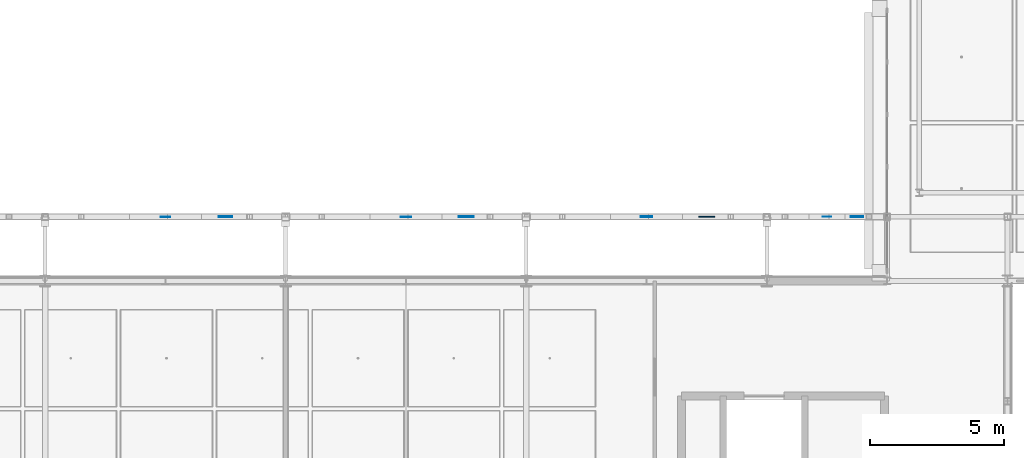
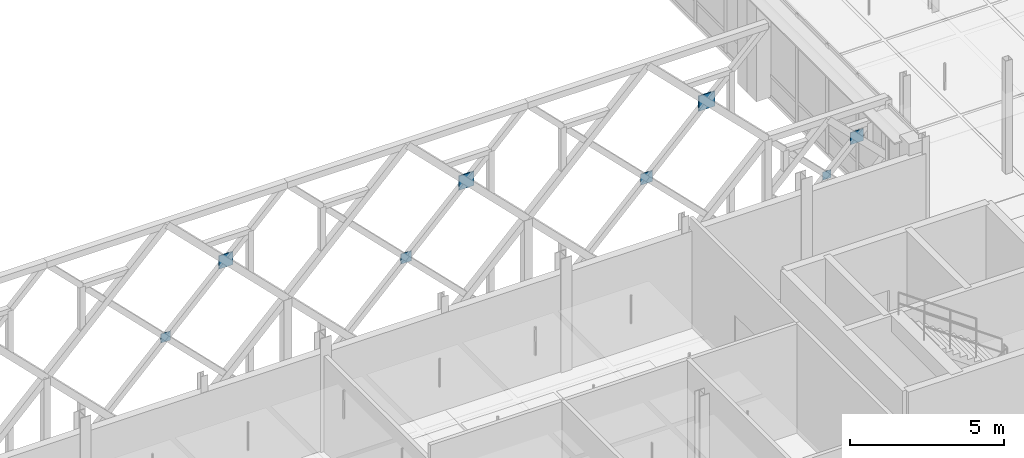
# One storey, part 84 of 140: 8 plates.
"""IFC4 building model written with IfcOpenShell, lengths in metres."""

from ifc_helpers import new_model, si_unit, direction, frame, origin, origin_2d, place, context, subcontext, project, spatial, rectangle, extrude, material, layer, layer_set, type_object, element, save


model = new_model("IFC4")

# Units and contexts
model_context = context("Model", 3, precision=1e-05, world=origin(), true_north=direction((0.0, 1.0)))
body_context = subcontext(model_context, "Body", "Model", "MODEL_VIEW")
ifc_project = project(units=[si_unit("LENGTHUNIT", "METRE"), si_unit("AREAUNIT", "SQUARE_METRE"), si_unit("VOLUMEUNIT", "CUBIC_METRE"), si_unit("PLANEANGLEUNIT", "RADIAN"), si_unit("MASSUNIT", "GRAM", prefix="KILO"), si_unit("THERMODYNAMICTEMPERATUREUNIT", "KELVIN"), si_unit("POWERUNIT", "WATT")], contexts=[model_context])

# Site, building, storey
site_placement = place(None, origin())
site = spatial("IfcSite", under=ifc_project, at=site_placement, CompositionType="ELEMENT")
building_placement = place(site_placement, origin())
building = spatial("IfcBuilding", under=site, at=building_placement, Name="Tallowbark Science Centre", CompositionType="ELEMENT")
storey_placement = place(building_placement, frame((0.0, 0.0, 9.89990234375)))
storey = spatial("IfcBuildingStorey", under=building, at=storey_placement, Name="L02", CompositionType="ELEMENT", Elevation=9.89990234375)

# Plates
ifc_material = material(Name="Structural Steel Grade 300PLUS (300 MPa)", Category="steel")
ifc_layer_1 = layer(ifc_material, 0.011962890625)
ifc_layer_set_1 = layer_set([ifc_layer_1], Name="Structural Steel Grade 300PLUS (300 MPa)")
plate_type_1 = type_object("IfcPlateType", Name="PLT-GUS-12", PredefinedType="SHEET", material=ifc_layer_set_1)
plate_1_placement = place(storey_placement, frame((96.75, 42.89990234375, 2.08984375), z_axis=(0.0, 0.0, 1.0), x_axis=(1.0, 0.0, 0.0)))
element("IfcPlate", 1, at=plate_1_placement, inside=storey, type_object=plate_type_1, Name="Star X-Brace Crossing Gusset Plate N-26", PredefinedType="SHEET", context=body_context, shape_type="SweptSolid", body=[
    extrude(rectangle(XDim=0.320068359375, YDim=0.011962890625, at=origin_2d()), origin(), (0.0, 0.0, 1.0), 0.320068359375),
])
ifc_layer_2 = layer(ifc_material, 0.01611328125)
ifc_layer_set_2 = layer_set([ifc_layer_2], Name="Structural Steel Grade 300PLUS (300 MPa)")
plate_type_2 = type_object("IfcPlateType", Name="PLT-GUS-16", PredefinedType="SHEET", material=ifc_layer_set_2)
plate_2_placement = place(storey_placement, frame((72.0, 42.89990234375, 4.31982421875), z_axis=(0.0, 0.0, 1.0), x_axis=(1.0, 0.0, 0.0)))
element("IfcPlate", 2, at=plate_2_placement, inside=storey, type_object=plate_type_2, Name="Star X-Brace Crossing Gusset Plate N-20", PredefinedType="SHEET", context=body_context, shape_type="SweptSolid", body=[
    extrude(rectangle(XDim=0.360107421875, YDim=0.01611328125, at=origin_2d()), origin(), (0.0, 0.0, 1.0), 0.360107421875),
])
ifc_layer_3 = layer(ifc_material, 0.02001953125)
ifc_layer_set_3 = layer_set([ifc_layer_3], Name="Structural Steel Grade 300PLUS (300 MPa)")
plate_type_3 = type_object("IfcPlateType", Name="PLT-GUS-20", PredefinedType="SHEET", material=ifc_layer_set_3)
plate_3_placement = place(storey_placement, frame((81.0, 42.89990234375, 4.300048828125), z_axis=(0.0, 0.0, 1.0), x_axis=(1.0, 0.0, 0.0)))
element("IfcPlate", 3, at=plate_3_placement, inside=storey, type_object=plate_type_3, Name="Star X-Brace Crossing Gusset Plate N-22", PredefinedType="SHEET", context=body_context, shape_type="SweptSolid", body=[
    extrude(rectangle(XDim=0.39990234375, YDim=0.02001953125, at=origin_2d()), origin(), (0.0, 0.0, 1.0), 0.39990234375),
])
ifc_layer_4 = layer(ifc_material, 0.02392578125)
ifc_layer_set_4 = layer_set([ifc_layer_4], Name="Structural Steel Grade 300PLUS (300 MPa)")
plate_type_4 = type_object("IfcPlateType", Name="PLT-GUS-24", PredefinedType="SHEET", material=ifc_layer_set_4)
plate_4_placement = place(storey_placement, frame((90.0, 42.89990234375, 4.280029296875), z_axis=(0.0, 0.0, 1.0), x_axis=(1.0, 0.0, 0.0)))
element("IfcPlate", 4, at=plate_4_placement, inside=storey, type_object=plate_type_4, Name="Star X-Brace Crossing Gusset Plate N-24", PredefinedType="SHEET", context=body_context, shape_type="SweptSolid", body=[
    extrude(rectangle(XDim=0.43994140625, YDim=0.02392578125, at=origin_2d()), origin(), (0.0, 0.0, 1.0), 0.43994140625),
])
ifc_layer_5 = layer(ifc_material, 0.028076171875)
ifc_layer_set_5 = layer_set([ifc_layer_5], Name="Structural Steel Grade 300PLUS (300 MPa)")
plate_type_5 = type_object("IfcPlateType", Name="PLT-GUS-28", PredefinedType="SHEET", material=ifc_layer_set_5)
plate_5_placement = place(storey_placement, frame((97.875, 42.89990234375, 3.135009765625), z_axis=(0.0, 0.0, 1.0), x_axis=(1.0, 0.0, 0.0)))
element("IfcPlate", 5, at=plate_5_placement, inside=storey, type_object=plate_type_5, Name="Star Primary Chord Crossing Gusset Plate N-26", PredefinedType="SHEET", context=body_context, shape_type="SweptSolid", body=[
    extrude(rectangle(XDim=0.47998046875, YDim=0.028076171875, at=origin_2d()), origin(), (0.0, 0.0, 1.0), 0.47998046875),
])
ifc_layer_6 = layer(ifc_material, 0.031982421875)
ifc_layer_set_6 = layer_set([ifc_layer_6], Name="Structural Steel Grade 300PLUS (300 MPa)")
plate_type_6 = type_object("IfcPlateType", Name="PLT-GUS-32", PredefinedType="SHEET", material=ifc_layer_set_6)
plate_6_placement = place(storey_placement, frame((74.25, 42.89990234375, 6.489990234375), z_axis=(0.0, 0.0, 1.0), x_axis=(1.0, 0.0, 0.0)))
element("IfcPlate", 6, at=plate_6_placement, inside=storey, type_object=plate_type_6, Name="Star Primary Chord Crossing Gusset Plate N-20", PredefinedType="SHEET", context=body_context, shape_type="SweptSolid", body=[
    extrude(rectangle(XDim=0.52001953125, YDim=0.031982421875, at=origin_2d()), origin(), (0.0, 0.0, 1.0), 0.52001953125),
])
ifc_layer_7 = layer(ifc_material, 0.035888671875)
ifc_layer_set_7 = layer_set([ifc_layer_7], Name="Structural Steel Grade 300PLUS (300 MPa)")
plate_type_7 = type_object("IfcPlateType", Name="PLT-GUS-36", PredefinedType="SHEET", material=ifc_layer_set_7)
plate_7_placement = place(storey_placement, frame((83.25, 42.89990234375, 6.469970703125), z_axis=(0.0, 0.0, 1.0), x_axis=(1.0, 0.0, 0.0)))
element("IfcPlate", 7, at=plate_7_placement, inside=storey, type_object=plate_type_7, Name="Star Primary Chord Crossing Gusset Plate N-22", PredefinedType="SHEET", context=body_context, shape_type="SweptSolid", body=[
    extrude(rectangle(XDim=0.56005859375, YDim=0.035888671875, at=origin_2d()), origin(), (0.0, 0.0, 1.0), 0.56005859375),
])
ifc_layer_8 = layer(ifc_material, 0.0400390625)
ifc_layer_set_8 = layer_set([ifc_layer_8], Name="Structural Steel Grade 300PLUS (300 MPa)")
plate_type_8 = type_object("IfcPlateType", Name="PLT-GUS-40", PredefinedType="SHEET", material=ifc_layer_set_8)
plate_8_placement = place(storey_placement, frame((92.25, 42.89990234375, 6.449951171875), z_axis=(0.0, 0.0, 1.0), x_axis=(1.0, 0.0, 0.0)))
element("IfcPlate", 8, at=plate_8_placement, inside=storey, type_object=plate_type_8, Name="Star Primary Chord Crossing Gusset Plate N-24", PredefinedType="SHEET", context=body_context, shape_type="SweptSolid", body=[
    extrude(rectangle(XDim=0.60009765625, YDim=0.0400390625, at=origin_2d()), origin(), (0.0, 0.0, 1.0), 0.60009765625),
])

save(model, "model.ifc")
